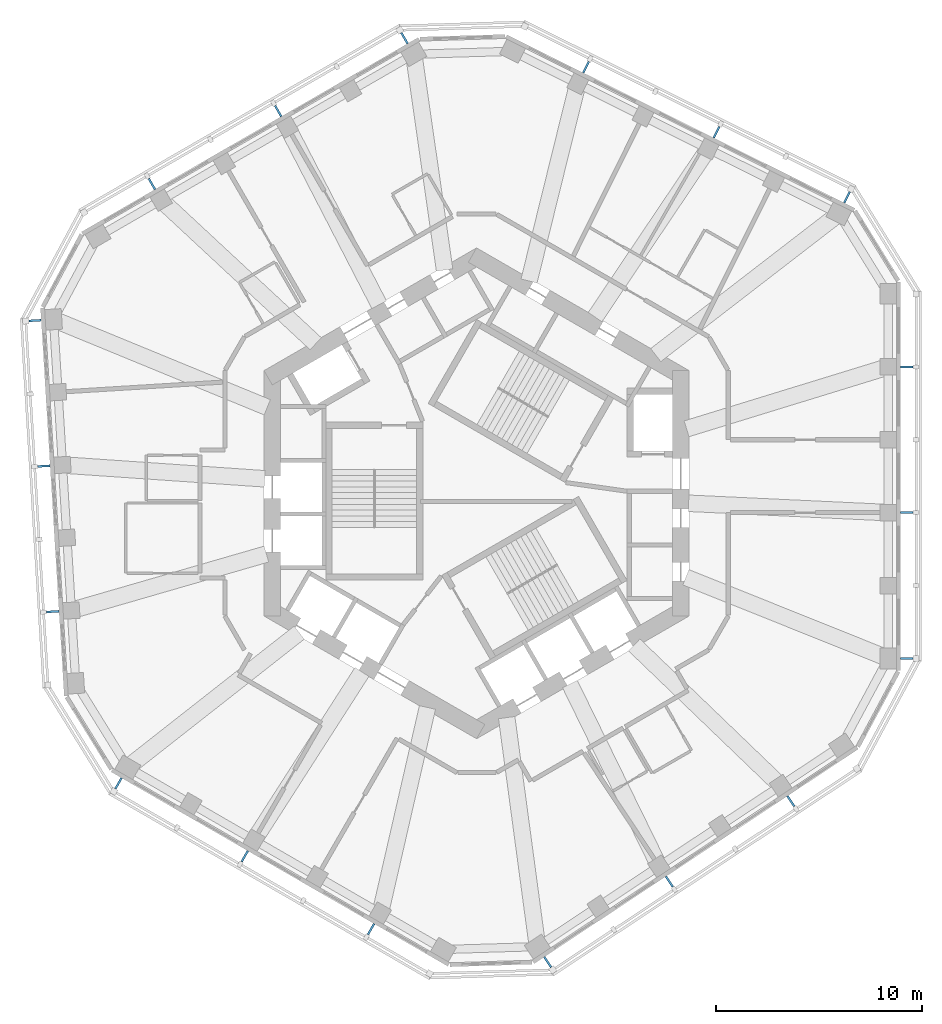
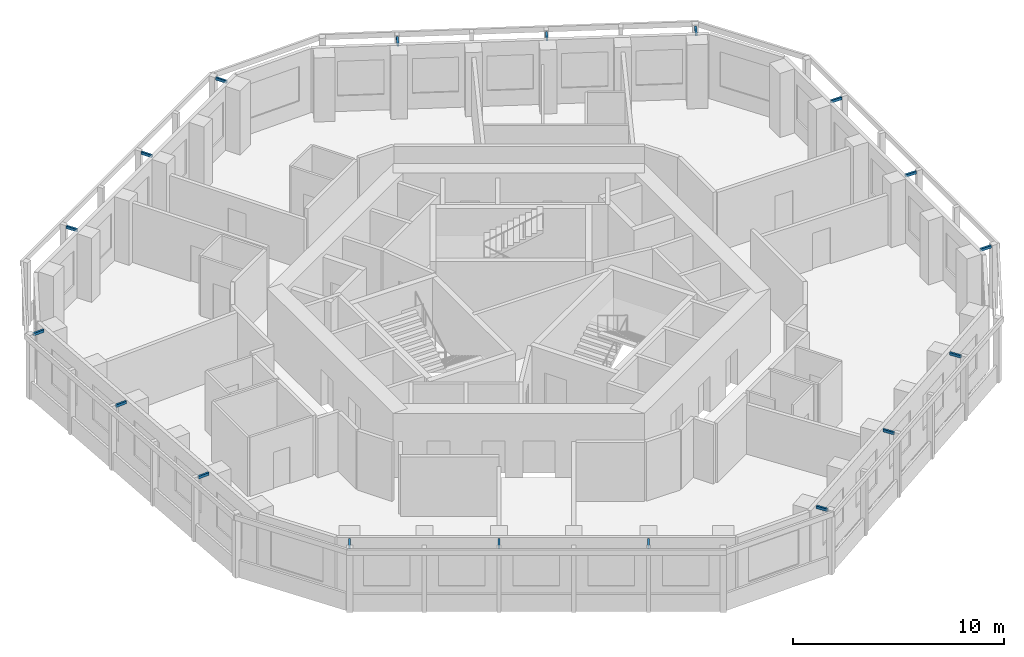
# One storey, part 10 of 11: 18 discrete accessories.
"""IFC4 building model written with IfcOpenShell, lengths in metres."""

from ifc_helpers import new_model, si_unit, direction, frame, origin, origin_2d, place, context, subcontext, project, spatial, rectangle, extrude, material, type_object, element, save


model = new_model("IFC4")

# Units and contexts
model_context = context("Model", 3, precision=1e-05, world=origin(), true_north=direction((0.0, 1.0)))
body_context = subcontext(model_context, "Body", "Model", "MODEL_VIEW")
ifc_project = project(units=[si_unit("LENGTHUNIT", "METRE"), si_unit("AREAUNIT", "SQUARE_METRE"), si_unit("VOLUMEUNIT", "CUBIC_METRE"), si_unit("PLANEANGLEUNIT", "RADIAN"), si_unit("MASSUNIT", "GRAM", prefix="KILO")], contexts=[model_context])

# Site, building, storey
site_placement = place(None, origin())
site = spatial("IfcSite", under=ifc_project, at=site_placement, CompositionType="ELEMENT")
building_placement = place(site_placement, origin())
building = spatial("IfcBuilding", under=site, at=building_placement, Name="Vanh Sen Convention Tower", CompositionType="ELEMENT")
storey_placement = place(building_placement, frame((0.0, 0.0, 247.60009765625)))
storey = spatial("IfcBuildingStorey", under=building, at=storey_placement, Name="L61", CompositionType="ELEMENT", Elevation=247.60009765625)

# Discrete accessories
ifc_material = material(Name="Steel S355", Category="steel")
discrete_accessory_type = type_object("IfcDiscreteAccessoryType", Name="Fin bracket 100 x 150", PredefinedType="BRACKET", material=ifc_material)
for number, where, z_axis, x_axis, name in (
    (1, (20.85009765625, -8.002685546875, 3.5), (0.0, 0.0, 1.0), (1.0, 0.0, 0.0), "Fin bracket E-1 L61"),
    (2, (20.85009765625, -0.935546875, 3.5), (0.0, 0.0, 1.0), (1.0, 0.0, 0.0), "Fin bracket E-3 L61"),
    (3, (20.85009765625, 6.131591796875, 3.5), (0.0, 0.0, 1.0), (1.0, 0.0, 0.0), "Fin bracket E-5 L61"),
    (4, (17.953125, 14.3466796875, 3.5), (0.0, 0.0, 1.0), (0.44619781311, 0.894934361602, 0.0), "Fin bracket NE-1 L61"),
    (5, (11.62841796875, 17.5, 3.5), (0.0, 0.0, 1.0), (0.44619781311, 0.894934361602, 0.0), "Fin bracket NE-3 L61"),
    (6, (5.3037109375, 20.653564453125, 3.5), (0.0, 0.0, 1.0), (0.44619781311, 0.894934361602, 0.0), "Fin bracket NE-5 L61"),
    (7, (-3.494384765625, 22.05810546875, 3.5), (0.0, 0.0, 1.0), (-0.5, 0.866025403784, 0.0), "Fin bracket NW-1 L61"),
    (8, (-9.61474609375, 18.5244140625, 3.5), (0.0, 0.0, 1.0), (-0.5, 0.866025403784, 0.0), "Fin bracket NW-3 L61"),
    (9, (-15.735107421875, 14.99072265625, 3.5), (0.0, 0.0, 1.0), (-0.5, 0.866025403784, 0.0), "Fin bracket NW-5 L61"),
    (10, (-21.401123046875, 8.37451171875, 3.5), (0.0, 0.0, 1.0), (-0.998134798422, -0.061048539535, 0.0), "Fin bracket W-1 L61"),
    (11, (-20.9697265625, 1.3203125, 3.5), (0.0, 0.0, 1.0), (-0.998134798422, -0.061048539535, 0.0), "Fin bracket W-3 L61"),
    (12, (-20.538330078125, -5.733642578125, 3.5), (0.0, 0.0, 1.0), (-0.998134798422, -0.061048539535, 0.0), "Fin bracket W-5 L61"),
    (13, (-17.355712890625, -14.05517578125, 3.5), (0.0, 0.0, 1.0), (-0.5, -0.866025403784, 0.0), "Fin bracket SW-1 L61"),
    (14, (-11.235107421875, -17.5888671875, 3.5), (0.0, 0.0, 1.0), (-0.5, -0.866025403784, 0.0), "Fin bracket SW-3 L61"),
    (15, (-5.11474609375, -21.12255859375, 3.5), (0.0, 0.0, 1.0), (-0.5, -0.866025403784, 0.0), "Fin bracket SW-5 L61"),
    (16, (3.447998046875, -22.72119140625, 3.5), (0.0, 0.0, 1.0), (0.551936985312, -0.833885822067, 0.0), "Fin bracket SE-1 L61"),
    (17, (9.34130859375, -18.820556640625, 3.5), (0.0, 0.0, 1.0), (0.551936985312, -0.833885822067, 0.0), "Fin bracket SE-3 L61"),
    (18, (15.234619140625, -14.919921875, 3.5), (0.0, 0.0, 1.0), (0.551936985312, -0.833885822067, 0.0), "Fin bracket SE-5 L61"),
):
    element("IfcDiscreteAccessory", number, at=place(storey_placement, frame(where, z_axis=z_axis, x_axis=x_axis)), inside=storey, type_object=discrete_accessory_type, Name=name, PredefinedType="BRACKET", context=body_context, shape_type="SweptSolid", body=[
        extrude(rectangle(XDim=0.60009765625, YDim=0.10009765625, at=origin_2d()), origin(), (0.0, 0.0, 1.0), 0.14990234375),
    ])

save(model, "model.ifc")
